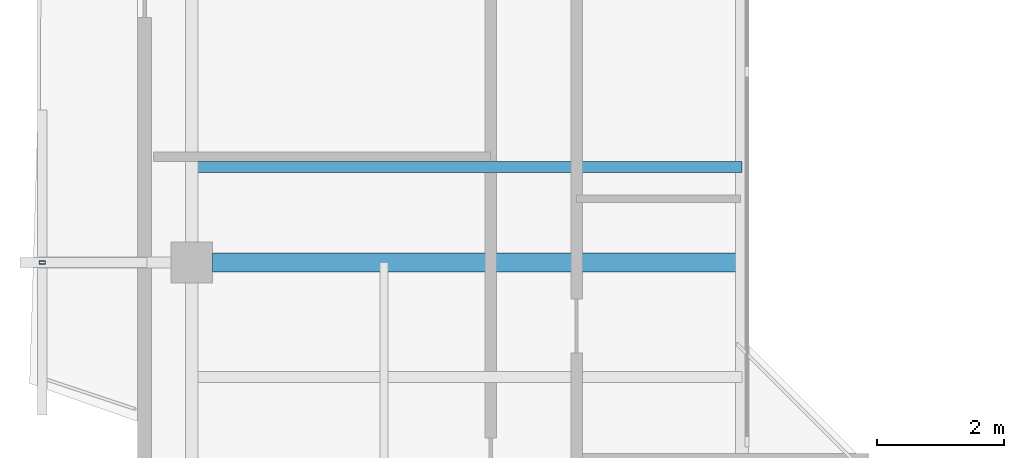
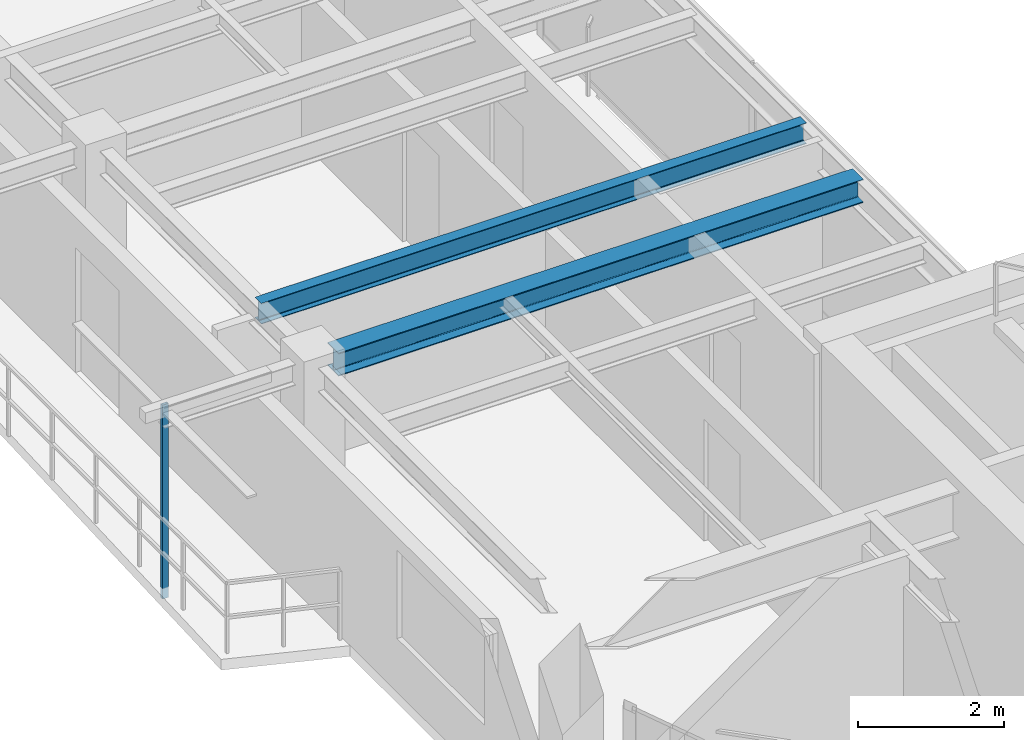
# One storey, part 3 of 15: 2 beams, 1 member.
"""IFC4 building model written with IfcOpenShell, lengths in metres."""

from ifc_helpers import new_model, si_unit, direction, frame, origin, origin_2d, place, context, subcontext, project, spatial, hollow_rectangle, i_section, extrude, source, transform, mapped, material, material_profile, profile_set, type_object, element, save


model = new_model("IFC4")

# Units and contexts
model_context = context("Model", 3, precision=1e-05, world=origin(), true_north=direction((0.0, 1.0)))
body_context = subcontext(model_context, "Body", "Model", "MODEL_VIEW")
ifc_project = project(units=[si_unit("LENGTHUNIT", "METRE"), si_unit("AREAUNIT", "SQUARE_METRE"), si_unit("VOLUMEUNIT", "CUBIC_METRE"), si_unit("PLANEANGLEUNIT", "RADIAN"), si_unit("MASSUNIT", "GRAM", prefix="KILO"), si_unit("THERMODYNAMICTEMPERATUREUNIT", "KELVIN"), si_unit("POWERUNIT", "WATT")], contexts=[model_context])

# Site, building, storey
site_placement = place(None, origin())
site = spatial("IfcSite", under=ifc_project, at=site_placement, CompositionType="ELEMENT")
building_placement = place(site_placement, origin())
building = spatial("IfcBuilding", under=site, at=building_placement, Name="Qiaomeng Ring Towers", CompositionType="ELEMENT")
storey_placement = place(building_placement, frame((0.0, 0.0, 237.25)))
storey = spatial("IfcBuildingStorey", under=building, at=storey_placement, Name="L69", CompositionType="ELEMENT", Elevation=237.25)

# Beams
ifc_material_1 = material(Name="Steel Q355B", Category="steel")
ifc_material_profile_1 = material_profile(ifc_material_1, i_section(OverallWidth=0.300048828125, OverallDepth=0.389892578125, WebThickness=0.010009765625, FlangeThickness=0.01611328125, FilletRadius=0.02197265625, at=origin_2d()), Name="HM 390x300x10x16")
ifc_profile_set_1 = profile_set([ifc_material_profile_1], Name="Steel Q355B")
beam_type_1 = type_object("IfcBeamType", Name="STR-BM-HM390", PredefinedType="BEAM", material=ifc_profile_set_1)
shared_shape_1 = source(origin(), body_context, "Body", "SweptSolid", [
    extrude(i_section(OverallWidth=0.300048828125, OverallDepth=0.389892578125, WebThickness=0.010009765625, FlangeThickness=0.01611328125, FilletRadius=0.02197265625, at=origin_2d()), origin(), (0.0, 0.0, 1.0), 8.325927734375),
])
beam_1_placement = place(storey_placement, frame((4.47412109375, 20.0, 2.875), z_axis=(1.0, 0.0, 0.0), x_axis=(0.0, 1.0, 0.0)))
element("IfcBeam", 1, at=beam_1_placement, inside=storey, type_object=beam_type_1, Name="L69 beam STR-BM-L69-T1-RAD-W2", PredefinedType="BEAM", context=body_context, shape_type="MappedRepresentation", body=[
    mapped(shared_shape_1, transform((0.0, 0.0, 0.0), x_axis=(1.0, 0.0, 0.0), y_axis=(0.0, 1.0, 0.0), z_axis=(0.0, 0.0, 1.0), scale=1.0)),
])
ifc_material_profile_2 = material_profile(ifc_material_1, i_section(OverallWidth=0.175048828125, OverallDepth=0.35009765625, WebThickness=0.007080078125, FlangeThickness=0.010986328125, FilletRadius=0.013916015625, at=origin_2d()), Name="HN 350x175x7x11")
ifc_profile_set_2 = profile_set([ifc_material_profile_2], Name="Steel Q355B")
beam_type_2 = type_object("IfcBeamType", Name="STR-BM-HN350", PredefinedType="JOIST", material=ifc_profile_set_2)
shared_shape_2 = source(origin(), body_context, "Body", "SweptSolid", [
    extrude(i_section(OverallWidth=0.175048828125, OverallDepth=0.35009765625, WebThickness=0.007080078125, FlangeThickness=0.010986328125, FilletRadius=0.013916015625, at=origin_2d()), origin(), (0.0, 0.0, 1.0), 8.650146484375),
])
beam_2_placement = place(storey_placement, frame((4.14990234375, 21.5, 2.89501953125), z_axis=(1.0, 0.0, 0.0), x_axis=(0.0, 1.0, 0.0)))
element("IfcBeam", 2, at=beam_2_placement, inside=storey, type_object=beam_type_2, Name="L69 beam STR-JST-L69-T1W-2", PredefinedType="JOIST", context=body_context, shape_type="MappedRepresentation", body=[
    mapped(shared_shape_2, transform((0.0, 0.0, 0.0), x_axis=(1.0, 0.0, 0.0), y_axis=(0.0, 1.0, 0.0), z_axis=(0.0, 0.0, 1.0), scale=1.0)),
])

# Member
ifc_material_2 = material(Name="Stainless steel 316", Category="steel")
ifc_material_profile_3 = material_profile(ifc_material_2, hollow_rectangle(XDim=0.050048828125, YDim=0.10009765625, WallThickness=0.00390625, at=origin_2d()), Name="SS TRELLIS 100x50")
ifc_profile_set_3 = profile_set([ifc_material_profile_3], Name="Stainless steel 316")
member_type = type_object("IfcMemberType", Name="ARC-TR-POST2", PredefinedType="STUD", material=ifc_profile_set_3)
shared_shape_3 = source(origin(), body_context, "Body", "SweptSolid", [
    extrude(hollow_rectangle(XDim=0.050048828125, YDim=0.10009765625, WallThickness=0.00390625, at=origin_2d()), origin(), (0.0, 0.0, 1.0), 3.25),
])
member_placement = place(storey_placement, frame((1.800048828125, 20.0, -0.179931640625), z_axis=(0.0, 0.0, 1.0), x_axis=(0.0, 1.0, 0.0)))
element("IfcMember", 3, at=member_placement, inside=storey, type_object=member_type, Name="L69 Outer Ventilated Trellis Post W", PredefinedType="STUD", context=body_context, shape_type="MappedRepresentation", body=[
    mapped(shared_shape_3, transform((0.0, 0.0, 0.0), x_axis=(1.0, 0.0, 0.0), y_axis=(0.0, 1.0, 0.0), z_axis=(0.0, 0.0, 1.0), scale=1.0)),
])

save(model, "model.ifc")
